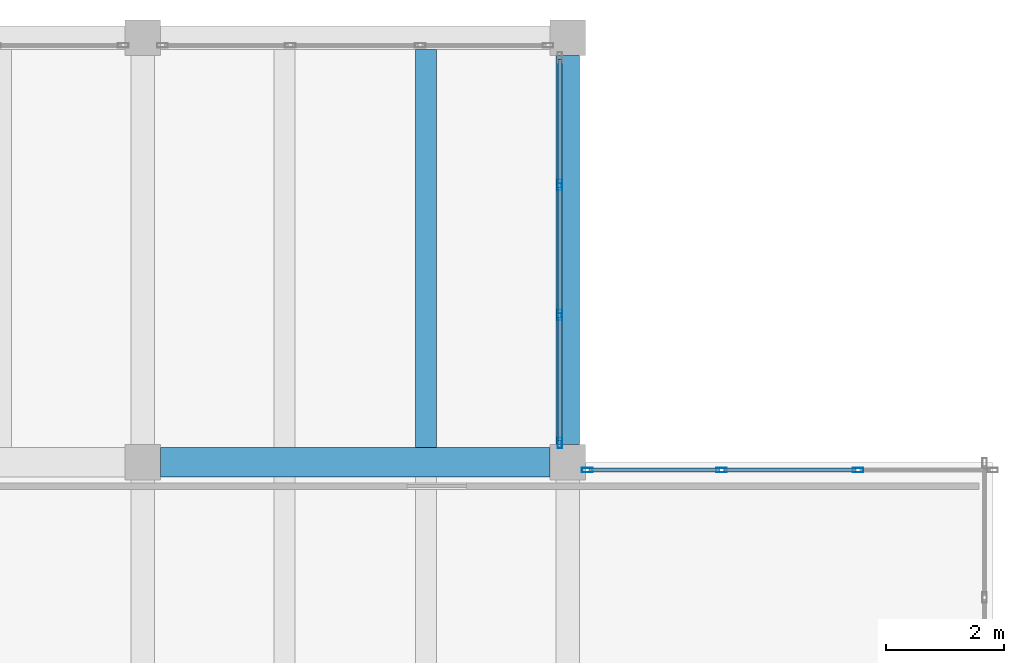
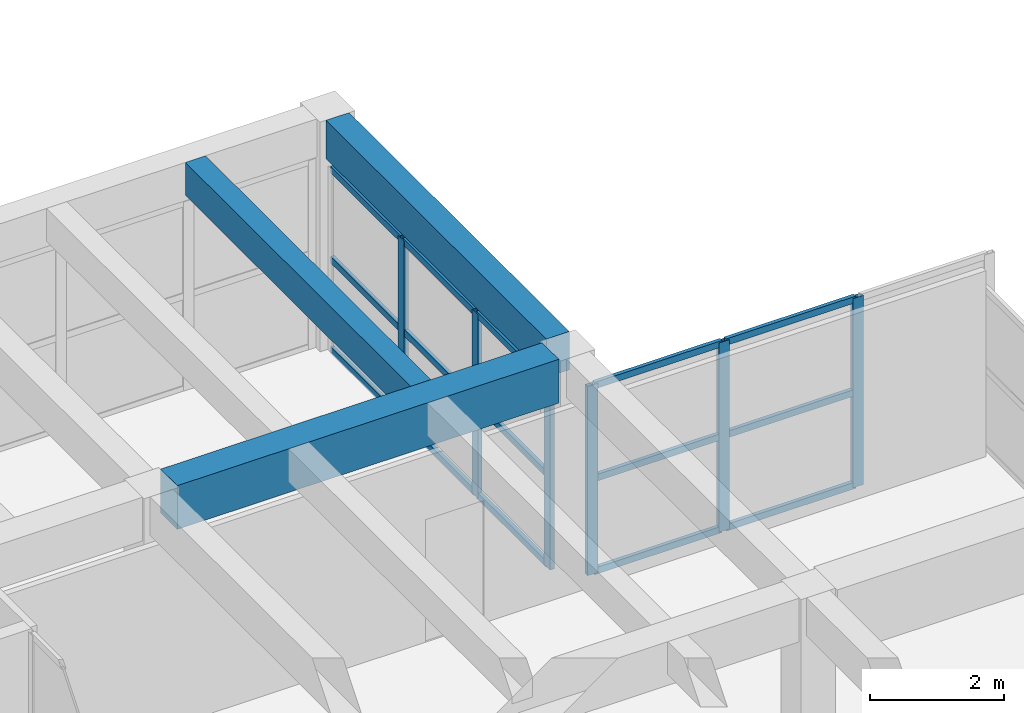
# One storey, part 89 of 153: 21 members, 3 beams, 2 elements without a shape of their own.
"""IFC4 building model written with IfcOpenShell, lengths in metres."""

from ifc_helpers import new_model, si_unit, direction, frame, origin, origin_2d, place, context, subcontext, project, spatial, rectangle, hollow_rectangle, extrude, material, material_profile, profile_set, type_object, element, aggregate, save


model = new_model("IFC4")

# Units and contexts
model_context = context("Model", 3, precision=1e-05, world=origin(), true_north=direction((0.0, 1.0)))
body_context = subcontext(model_context, "Body", "Model", "MODEL_VIEW")
ifc_project = project(units=[si_unit("LENGTHUNIT", "METRE"), si_unit("AREAUNIT", "SQUARE_METRE"), si_unit("VOLUMEUNIT", "CUBIC_METRE"), si_unit("PLANEANGLEUNIT", "RADIAN"), si_unit("MASSUNIT", "GRAM", prefix="KILO")], contexts=[model_context])

# Site, building, storey
site_placement = place(None, origin())
site = spatial("IfcSite", under=ifc_project, at=site_placement, CompositionType="ELEMENT")
building_placement = place(site_placement, origin())
building = spatial("IfcBuilding", under=site, at=building_placement, Name="Bramvelor Terrace Health Centre", CompositionType="ELEMENT")
storey_placement = place(building_placement, frame((0.0, 0.0, 4.800048828125)))
storey = spatial("IfcBuildingStorey", under=building, at=storey_placement, Name="L02", CompositionType="ELEMENT", Elevation=4.800048828125)

# Beams
ifc_material_1 = material(Name="Concrete C40/50", Category="concrete")
ifc_material_profile_1 = material_profile(ifc_material_1, rectangle(XDim=0.39990234375, YDim=0.699951171875, at=origin_2d()), Name="RC 400x700")
ifc_profile_set_1 = profile_set([ifc_material_profile_1], Name="Concrete C40/50")
beam_type_1 = type_object("IfcBeamType", Name="BM-RC-G700", PredefinedType="BEAM", material=ifc_profile_set_1)
beam_1_placement = place(storey_placement, frame((36.0, 108.300048828125, 3.849853515625), z_axis=(0.0, 1.0, 0.0), x_axis=(-1.0, 0.0, 0.0)))
element("IfcBeam", 1, at=beam_1_placement, inside=storey, type_object=beam_type_1, Name="L02 Floor Girder", PredefinedType="BEAM", context=body_context, shape_type="SweptSolid", body=[
    extrude(rectangle(XDim=0.39990234375, YDim=0.699951171875, at=origin_2d()), origin(), (0.0, 0.0, 1.0), 6.599853515625),
])
ifc_material_2 = material(Name="Concrete C40/50", Category="concrete")
ifc_material_profile_2 = material_profile(ifc_material_2, rectangle(XDim=0.5, YDim=0.800048828125, at=origin_2d()), Name="RC 500x800")
ifc_profile_set_2 = profile_set([ifc_material_profile_2], Name="Concrete C40/50")
beam_type_2 = type_object("IfcBeamType", Name="BM-RC-G800", PredefinedType="BEAM", material=ifc_profile_set_2)
beam_2_placement = place(storey_placement, frame((29.10009765625, 108.0, 3.800048828125), z_axis=(1.0, 0.0, 0.0), x_axis=(0.0, 1.0, 0.0)))
element("IfcBeam", 2, at=beam_2_placement, inside=storey, type_object=beam_type_2, Name="L02 Floor Girder", PredefinedType="BEAM", context=body_context, shape_type="SweptSolid", body=[
    extrude(rectangle(XDim=0.5, YDim=0.800048828125, at=origin_2d()), origin(), (0.0, 0.0, 1.0), 6.599853515625),
])
ifc_material_3 = material(Name="Concrete C40/50", Category="concrete")
ifc_material_profile_3 = material_profile(ifc_material_3, rectangle(XDim=0.35009765625, YDim=0.60009765625, at=origin_2d()), Name="RC 350x600")
ifc_profile_set_3 = profile_set([ifc_material_profile_3], Name="Concrete C40/50")
beam_type_3 = type_object("IfcBeamType", Name="BM-RC-J600", PredefinedType="JOIST", material=ifc_profile_set_3)
beam_3_placement = place(storey_placement, frame((33.60009765625, 108.25, 3.89990234375), z_axis=(0.0, 1.0, 0.0), x_axis=(-1.0, 0.0, 0.0)))
element("IfcBeam", 3, at=beam_3_placement, inside=storey, type_object=beam_type_3, Name="L02 Secondary Floor Joist", PredefinedType="JOIST", context=body_context, shape_type="SweptSolid", body=[
    extrude(rectangle(XDim=0.35009765625, YDim=0.60009765625, at=origin_2d()), origin(), (0.0, 0.0, 1.0), 6.75),
])

# Curtain wall, members
ifc_material_4 = material(Name="Anodized aluminium and double low-E glass", Category="aluminium")
curtain_wall_type_1 = type_object("IfcCurtainWallType", Name="CW-SYS-12", PredefinedType="NOTDEFINED", material=ifc_material_4)
curtain_wall_1_placement = place(storey_placement, origin())
curtain_wall_1 = element("IfcCurtainWall", 4, at=curtain_wall_1_placement, inside=storey, type_object=curtain_wall_type_1, Name="L02 Unitized Curtain Wall 83", PredefinedType="NOTDEFINED")
ifc_material_5 = material(Name="Anodized aluminium 6063-T6", Category="aluminium")
ifc_material_profile_4 = material_profile(ifc_material_5, hollow_rectangle(XDim=0.074951171875, YDim=0.179931640625, WallThickness=0.00341796875, at=origin_2d()), Name="ALU-MUL 75x180x3.5")
ifc_profile_set_4 = profile_set([ifc_material_profile_4], Name="Anodized aluminium 6063-T6")
member_type_1 = type_object("IfcMemberType", Name="CW-MUL-65x180", PredefinedType="MULLION", material=ifc_profile_set_4)
member_1_placement = place(storey_placement, frame((35.8701171875, 112.70166015625, 0.0), z_axis=(0.0, 0.0, 1.0), x_axis=(1.0, 0.0, 0.0)))
member_1 = element("IfcMember", 5, at=member_1_placement, type_object=member_type_1, Name="CW-12 mullion 2", PredefinedType="MULLION", context=body_context, shape_type="SweptSolid", body=[
    extrude(hollow_rectangle(XDim=0.074951171875, YDim=0.179931640625, WallThickness=0.00341796875, at=origin_2d()), origin(), (0.0, 0.0, 1.0), 3.35986328125),
])
member_2_placement = place(storey_placement, frame((35.8701171875, 110.498291015625, 0.0), z_axis=(0.0, 0.0, 1.0), x_axis=(1.0, 0.0, 0.0)))
member_2 = element("IfcMember", 6, at=member_2_placement, type_object=member_type_1, Name="CW-12 mullion 3", PredefinedType="MULLION", context=body_context, shape_type="SweptSolid", body=[
    extrude(hollow_rectangle(XDim=0.074951171875, YDim=0.179931640625, WallThickness=0.00341796875, at=origin_2d()), origin(), (0.0, 0.0, 1.0), 3.35986328125),
])
member_3_placement = place(storey_placement, frame((35.8701171875, 108.33251953125, 0.0), z_axis=(0.0, 0.0, 1.0), x_axis=(1.0, 0.0, 0.0)))
member_3 = element("IfcMember", 7, at=member_3_placement, type_object=member_type_1, Name="CW-12 mullion 4", PredefinedType="MULLION", context=body_context, shape_type="SweptSolid", body=[
    extrude(hollow_rectangle(XDim=0.074951171875, YDim=0.179931640625, WallThickness=0.00341796875, at=origin_2d()), origin(), (0.0, 0.0, 1.0), 3.35986328125),
])

ifc_material_6 = material(Name="Anodized aluminium and double low-E glass", Category="aluminium")
curtain_wall_type_2 = type_object("IfcCurtainWallType", Name="CW-SYS-14", PredefinedType="NOTDEFINED", material=ifc_material_6)
curtain_wall_2_placement = place(storey_placement, origin())
curtain_wall_2 = element("IfcCurtainWall", 8, at=curtain_wall_2_placement, inside=storey, type_object=curtain_wall_type_2, Name="L02 Unitized Curtain Wall 84", PredefinedType="NOTDEFINED")
member_4_placement = place(storey_placement, frame((36.33251953125, 107.8701171875, 0.0), z_axis=(0.0, 0.0, 1.0), x_axis=(0.0, 1.0, 0.0)))
member_4 = element("IfcMember", 9, at=member_4_placement, type_object=member_type_1, Name="CW-14 mullion 1", PredefinedType="MULLION", context=body_context, shape_type="SweptSolid", body=[
    extrude(hollow_rectangle(XDim=0.074951171875, YDim=0.179931640625, WallThickness=0.00341796875, at=origin_2d()), origin(), (0.0, 0.0, 1.0), 3.4599609375),
])
member_5_placement = place(storey_placement, frame((38.610107421875, 107.8701171875, 0.0), z_axis=(0.0, 0.0, 1.0), x_axis=(0.0, 1.0, 0.0)))
member_5 = element("IfcMember", 10, at=member_5_placement, type_object=member_type_1, Name="CW-14 mullion 2", PredefinedType="MULLION", context=body_context, shape_type="SweptSolid", body=[
    extrude(hollow_rectangle(XDim=0.074951171875, YDim=0.179931640625, WallThickness=0.00341796875, at=origin_2d()), origin(), (0.0, 0.0, 1.0), 3.4599609375),
])
member_6_placement = place(storey_placement, frame((40.925048828125, 107.8701171875, 0.0), z_axis=(0.0, 0.0, 1.0), x_axis=(0.0, 1.0, 0.0)))
member_6 = element("IfcMember", 11, at=member_6_placement, type_object=member_type_1, Name="CW-14 mullion 3", PredefinedType="MULLION", context=body_context, shape_type="SweptSolid", body=[
    extrude(hollow_rectangle(XDim=0.074951171875, YDim=0.179931640625, WallThickness=0.00341796875, at=origin_2d()), origin(), (0.0, 0.0, 1.0), 3.4599609375),
])

# Member
ifc_material_7 = material(Name="Anodized aluminium 6063-T6", Category="aluminium")
ifc_material_profile_5 = material_profile(ifc_material_7, hollow_rectangle(XDim=0.06494140625, YDim=0.1201171875, WallThickness=0.0029296875, at=origin_2d()), Name="ALU-TRN 65x120x3.0")
ifc_profile_set_5 = profile_set([ifc_material_profile_5], Name="Anodized aluminium 6063-T6")
member_type_2 = type_object("IfcMemberType", Name="CW-TRN-65x150", PredefinedType="USERDEFINED", material=ifc_profile_set_5)
member_7_placement = place(storey_placement, frame((35.8701171875, 114.830078125, 0.032470703125), z_axis=(0.0, -1.0, 0.0), x_axis=(1.0, 0.0, 0.0)))
member_7 = element("IfcMember", 12, at=member_7_placement, type_object=member_type_2, Name="CW-12 transom 1.1", ObjectType="TRANSOM", PredefinedType="USERDEFINED", context=body_context, shape_type="SweptSolid", body=[
    extrude(hollow_rectangle(XDim=0.06494140625, YDim=0.1201171875, WallThickness=0.0029296875, at=origin_2d()), origin(), (0.0, 0.0, 1.0), 2.0908203125),
])

member_8_placement = place(storey_placement, frame((35.8701171875, 114.830078125, 1.679931640625), z_axis=(0.0, -1.0, 0.0), x_axis=(1.0, 0.0, 0.0)))
member_8 = element("IfcMember", 13, at=member_8_placement, type_object=member_type_2, Name="CW-12 transom 1.2", ObjectType="TRANSOM", PredefinedType="USERDEFINED", context=body_context, shape_type="SweptSolid", body=[
    extrude(hollow_rectangle(XDim=0.06494140625, YDim=0.1201171875, WallThickness=0.0029296875, at=origin_2d()), origin(), (0.0, 0.0, 1.0), 2.0908203125),
])

member_9_placement = place(storey_placement, frame((35.8701171875, 114.830078125, 3.327392578125), z_axis=(0.0, -1.0, 0.0), x_axis=(1.0, 0.0, 0.0)))
member_9 = element("IfcMember", 14, at=member_9_placement, type_object=member_type_2, Name="CW-12 transom 1.3", ObjectType="TRANSOM", PredefinedType="USERDEFINED", context=body_context, shape_type="SweptSolid", body=[
    extrude(hollow_rectangle(XDim=0.06494140625, YDim=0.1201171875, WallThickness=0.0029296875, at=origin_2d()), origin(), (0.0, 0.0, 1.0), 2.0908203125),
])

member_10_placement = place(storey_placement, frame((35.8701171875, 112.6640625, 0.032470703125), z_axis=(0.0, -1.0, 0.0), x_axis=(1.0, 0.0, 0.0)))
member_10 = element("IfcMember", 15, at=member_10_placement, type_object=member_type_2, Name="CW-12 transom 2.1", ObjectType="TRANSOM", PredefinedType="USERDEFINED", context=body_context, shape_type="SweptSolid", body=[
    extrude(hollow_rectangle(XDim=0.06494140625, YDim=0.1201171875, WallThickness=0.0029296875, at=origin_2d()), origin(), (0.0, 0.0, 1.0), 2.128173828125),
])

member_11_placement = place(storey_placement, frame((35.8701171875, 112.6640625, 1.679931640625), z_axis=(0.0, -1.0, 0.0), x_axis=(1.0, 0.0, 0.0)))
member_11 = element("IfcMember", 16, at=member_11_placement, type_object=member_type_2, Name="CW-12 transom 2.2", ObjectType="TRANSOM", PredefinedType="USERDEFINED", context=body_context, shape_type="SweptSolid", body=[
    extrude(hollow_rectangle(XDim=0.06494140625, YDim=0.1201171875, WallThickness=0.0029296875, at=origin_2d()), origin(), (0.0, 0.0, 1.0), 2.128173828125),
])

member_12_placement = place(storey_placement, frame((35.8701171875, 112.6640625, 3.327392578125), z_axis=(0.0, -1.0, 0.0), x_axis=(1.0, 0.0, 0.0)))
member_12 = element("IfcMember", 17, at=member_12_placement, type_object=member_type_2, Name="CW-12 transom 2.3", ObjectType="TRANSOM", PredefinedType="USERDEFINED", context=body_context, shape_type="SweptSolid", body=[
    extrude(hollow_rectangle(XDim=0.06494140625, YDim=0.1201171875, WallThickness=0.0029296875, at=origin_2d()), origin(), (0.0, 0.0, 1.0), 2.128173828125),
])

member_13_placement = place(storey_placement, frame((35.8701171875, 110.4609375, 0.032470703125), z_axis=(0.0, -1.0, 0.0), x_axis=(1.0, 0.0, 0.0)))
member_13 = element("IfcMember", 18, at=member_13_placement, type_object=member_type_2, Name="CW-12 transom 3.1", ObjectType="TRANSOM", PredefinedType="USERDEFINED", context=body_context, shape_type="SweptSolid", body=[
    extrude(hollow_rectangle(XDim=0.06494140625, YDim=0.1201171875, WallThickness=0.0029296875, at=origin_2d()), origin(), (0.0, 0.0, 1.0), 2.0908203125),
])

member_14_placement = place(storey_placement, frame((35.8701171875, 110.4609375, 1.679931640625), z_axis=(0.0, -1.0, 0.0), x_axis=(1.0, 0.0, 0.0)))
member_14 = element("IfcMember", 19, at=member_14_placement, type_object=member_type_2, Name="CW-12 transom 3.2", ObjectType="TRANSOM", PredefinedType="USERDEFINED", context=body_context, shape_type="SweptSolid", body=[
    extrude(hollow_rectangle(XDim=0.06494140625, YDim=0.1201171875, WallThickness=0.0029296875, at=origin_2d()), origin(), (0.0, 0.0, 1.0), 2.0908203125),
])

member_15_placement = place(storey_placement, frame((35.8701171875, 110.4609375, 3.327392578125), z_axis=(0.0, -1.0, 0.0), x_axis=(1.0, 0.0, 0.0)))
member_15 = element("IfcMember", 20, at=member_15_placement, type_object=member_type_2, Name="CW-12 transom 3.3", ObjectType="TRANSOM", PredefinedType="USERDEFINED", context=body_context, shape_type="SweptSolid", body=[
    extrude(hollow_rectangle(XDim=0.06494140625, YDim=0.1201171875, WallThickness=0.0029296875, at=origin_2d()), origin(), (0.0, 0.0, 1.0), 2.0908203125),
])

aggregate(curtain_wall_1, [member_1, member_2, member_3, member_7, member_8, member_9, member_10, member_11, member_12, member_13, member_14, member_15])

member_16_placement = place(storey_placement, frame((36.3701171875, 107.8701171875, 0.032470703125), z_axis=(1.0, 0.0, 0.0), x_axis=(0.0, 1.0, 0.0)))
member_16 = element("IfcMember", 21, at=member_16_placement, type_object=member_type_2, Name="CW-14 transom 1.1", ObjectType="TRANSOM", PredefinedType="USERDEFINED", context=body_context, shape_type="SweptSolid", body=[
    extrude(hollow_rectangle(XDim=0.06494140625, YDim=0.1201171875, WallThickness=0.0029296875, at=origin_2d()), origin(), (0.0, 0.0, 1.0), 2.202392578125),
])

member_17_placement = place(storey_placement, frame((36.3701171875, 107.8701171875, 1.72998046875), z_axis=(1.0, 0.0, 0.0), x_axis=(0.0, 1.0, 0.0)))
member_17 = element("IfcMember", 22, at=member_17_placement, type_object=member_type_2, Name="CW-14 transom 1.2", ObjectType="TRANSOM", PredefinedType="USERDEFINED", context=body_context, shape_type="SweptSolid", body=[
    extrude(hollow_rectangle(XDim=0.06494140625, YDim=0.1201171875, WallThickness=0.0029296875, at=origin_2d()), origin(), (0.0, 0.0, 1.0), 2.202392578125),
])

member_18_placement = place(storey_placement, frame((36.3701171875, 107.8701171875, 3.427490234375), z_axis=(1.0, 0.0, 0.0), x_axis=(0.0, 1.0, 0.0)))
member_18 = element("IfcMember", 23, at=member_18_placement, type_object=member_type_2, Name="CW-14 transom 1.3", ObjectType="TRANSOM", PredefinedType="USERDEFINED", context=body_context, shape_type="SweptSolid", body=[
    extrude(hollow_rectangle(XDim=0.06494140625, YDim=0.1201171875, WallThickness=0.0029296875, at=origin_2d()), origin(), (0.0, 0.0, 1.0), 2.202392578125),
])

member_19_placement = place(storey_placement, frame((38.6474609375, 107.8701171875, 0.032470703125), z_axis=(1.0, 0.0, 0.0), x_axis=(0.0, 1.0, 0.0)))
member_19 = element("IfcMember", 24, at=member_19_placement, type_object=member_type_2, Name="CW-14 transom 2.1", ObjectType="TRANSOM", PredefinedType="USERDEFINED", context=body_context, shape_type="SweptSolid", body=[
    extrude(hollow_rectangle(XDim=0.06494140625, YDim=0.1201171875, WallThickness=0.0029296875, at=origin_2d()), origin(), (0.0, 0.0, 1.0), 2.239990234375),
])

member_20_placement = place(storey_placement, frame((38.6474609375, 107.8701171875, 1.72998046875), z_axis=(1.0, 0.0, 0.0), x_axis=(0.0, 1.0, 0.0)))
member_20 = element("IfcMember", 25, at=member_20_placement, type_object=member_type_2, Name="CW-14 transom 2.2", ObjectType="TRANSOM", PredefinedType="USERDEFINED", context=body_context, shape_type="SweptSolid", body=[
    extrude(hollow_rectangle(XDim=0.06494140625, YDim=0.1201171875, WallThickness=0.0029296875, at=origin_2d()), origin(), (0.0, 0.0, 1.0), 2.239990234375),
])

member_21_placement = place(storey_placement, frame((38.6474609375, 107.8701171875, 3.427490234375), z_axis=(1.0, 0.0, 0.0), x_axis=(0.0, 1.0, 0.0)))
member_21 = element("IfcMember", 26, at=member_21_placement, type_object=member_type_2, Name="CW-14 transom 2.3", ObjectType="TRANSOM", PredefinedType="USERDEFINED", context=body_context, shape_type="SweptSolid", body=[
    extrude(hollow_rectangle(XDim=0.06494140625, YDim=0.1201171875, WallThickness=0.0029296875, at=origin_2d()), origin(), (0.0, 0.0, 1.0), 2.239990234375),
])

aggregate(curtain_wall_2, [member_4, member_5, member_6, member_16, member_17, member_18, member_19, member_20, member_21])

save(model, "model.ifc")
